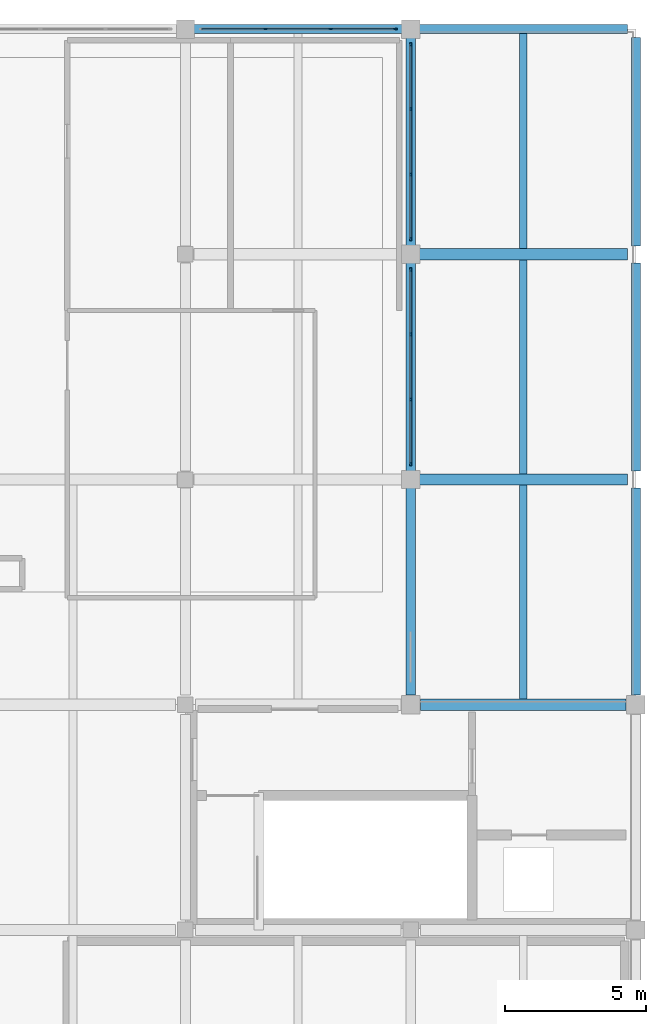
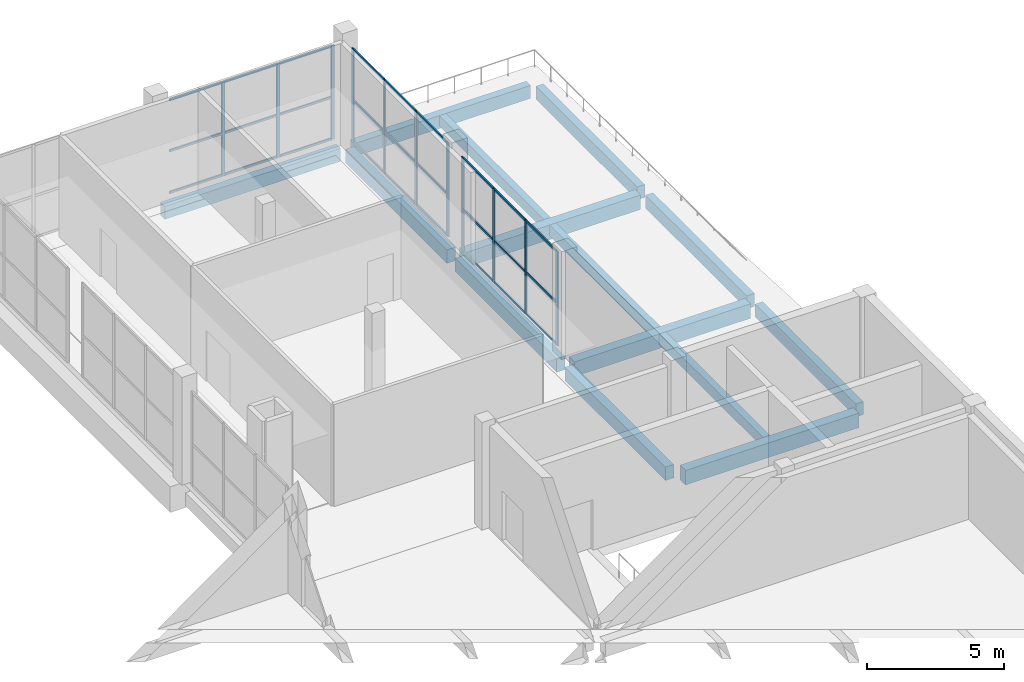
# One storey, part 3 of 8: 38 members, 14 beams, 3 elements without a shape of their own.
"""IFC4 building model written with IfcOpenShell, lengths in metres."""

from ifc_helpers import new_model, si_unit, direction, frame, origin, origin_2d, place, context, subcontext, project, spatial, rectangle, extrude, material, layer, layer_set, material_profile, profile_set, type_object, element, aggregate, save


model = new_model("IFC4")

# Units and contexts
model_context = context("Model", 3, precision=1e-05, world=origin(), true_north=direction((0.0, 1.0)))
body_context = subcontext(model_context, "Body", "Model", "MODEL_VIEW")
ifc_project = project(units=[si_unit("LENGTHUNIT", "METRE"), si_unit("AREAUNIT", "SQUARE_METRE"), si_unit("VOLUMEUNIT", "CUBIC_METRE"), si_unit("PLANEANGLEUNIT", "RADIAN"), si_unit("MASSUNIT", "GRAM", prefix="KILO")], contexts=[model_context])

# Site, building, storey
site_placement = place(None, origin())
site = spatial("IfcSite", under=ifc_project, at=site_placement, CompositionType="ELEMENT")
building_placement = place(site_placement, origin())
building = spatial("IfcBuilding", under=site, at=building_placement, Name="Qorikala Patio Media Centre", CompositionType="ELEMENT")
storey_placement = place(building_placement, frame((0.0, 0.0, 27.89990234375)))
storey = spatial("IfcBuildingStorey", under=building, at=storey_placement, Name="L06", CompositionType="ELEMENT", Elevation=27.89990234375)

# Beams
ifc_material_1 = material(Name="Concrete C35/45", Category="concrete")
ifc_material_profile_1 = material_profile(ifc_material_1, rectangle(XDim=0.35009765625, YDim=0.60009765625, at=origin_2d()), Name="RC 350x600")
ifc_profile_set_1 = profile_set([ifc_material_profile_1], Name="Concrete C35/45")
beam_type_1 = type_object("IfcBeamType", Name="BM-G350X600", PredefinedType="BEAM", material=ifc_profile_set_1)
beam_1_placement = place(storey_placement, frame((35.0, 35.35009765625, -0.699951171875), z_axis=(0.0, 1.0, 0.0), x_axis=(-1.0, 0.0, 0.0)))
element("IfcBeam", 1, at=beam_1_placement, inside=storey, type_object=beam_type_1, Name="L06 Grid X=35 Beam 1730", PredefinedType="BEAM", context=body_context, shape_type="SweptSolid", body=[
    extrude(rectangle(XDim=0.35009765625, YDim=0.60009765625, at=origin_2d()), origin(), (0.0, 0.0, 1.0), 7.349853515625),
])
for number, where, z_axis, x_axis, name in (
    (2, (35.0, 43.300048828125, -0.699951171875), (0.0, 1.0, 0.0), (-1.0, 0.0, 0.0), "L06 Grid X=35 Beam 1731"),
    (3, (35.0, 51.300048828125, -0.699951171875), (0.0, 1.0, 0.0), (-1.0, 0.0, 0.0), "L06 Grid X=35 Beam 1732"),
):
    element("IfcBeam", number, at=place(storey_placement, frame(where, z_axis=z_axis, x_axis=x_axis)), inside=storey, type_object=beam_type_1, Name=name, PredefinedType="BEAM", context=body_context, shape_type="SweptSolid", body=[
        extrude(rectangle(XDim=0.35009765625, YDim=0.60009765625, at=origin_2d()), origin(), (0.0, 0.0, 1.0), 7.39990234375),
    ])
ifc_material_profile_2 = material_profile(ifc_material_1, rectangle(XDim=0.39990234375, YDim=0.64990234375, at=origin_2d()), Name="RC 400x650")
ifc_profile_set_2 = profile_set([ifc_material_profile_2], Name="Concrete C35/45")
beam_type_2 = type_object("IfcBeamType", Name="BM-G400X650", PredefinedType="BEAM", material=ifc_profile_set_2)
beam_2_placement = place(storey_placement, frame((35.35009765625, 35.0, -0.724853515625), z_axis=(1.0, 0.0, 0.0), x_axis=(0.0, 1.0, 0.0)))
element("IfcBeam", 4, at=beam_2_placement, inside=storey, type_object=beam_type_2, Name="L06 Grid 35 Beam 1700", PredefinedType="BEAM", context=body_context, shape_type="SweptSolid", body=[
    extrude(rectangle(XDim=0.39990234375, YDim=0.64990234375, at=origin_2d()), origin(), (0.0, 0.0, 1.0), 7.2998046875),
])
for number, where, z_axis, x_axis, name in (
    (5, (35.300048828125, 43.0, -0.724853515625), (1.0, 0.0, 0.0), (0.0, 1.0, 0.0), "L06 Grid 43 Beam 1703"),
    (6, (35.300048828125, 51.0, -0.724853515625), (1.0, 0.0, 0.0), (0.0, 1.0, 0.0), "L06 Grid 51 Beam 1705"),
):
    element("IfcBeam", number, at=place(storey_placement, frame(where, z_axis=z_axis, x_axis=x_axis)), inside=storey, type_object=beam_type_2, Name=name, PredefinedType="BEAM", context=body_context, shape_type="SweptSolid", body=[
        extrude(rectangle(XDim=0.39990234375, YDim=0.64990234375, at=origin_2d()), origin(), (0.0, 0.0, 1.0), 7.39990234375),
    ])

# Curtain wall, members
ifc_material_2 = material(Name="Bronze Anodised Aluminium and Low-E Glass", Category="aluminium")
ifc_layer = layer(ifc_material_2, 0.159912109375)
ifc_layer_set = layer_set([ifc_layer], Name="Bronze Anodised Aluminium and Low-E Glass")
curtain_wall_type = type_object("IfcCurtainWallType", Name="CW-PAV-696X419", PredefinedType="USERDEFINED", material=ifc_layer_set)
curtain_wall_1_placement = place(storey_placement, origin())
curtain_wall_1 = element("IfcCurtainWall", 7, at=curtain_wall_1_placement, inside=storey, type_object=curtain_wall_type, Name="L06 Courtyard Curtain Wall 104", ObjectType="COURTYARD CURTAIN WALL", PredefinedType="USERDEFINED")
ifc_material_3 = material(Name="Bronze Anodised Aluminium", Category="aluminium")
ifc_material_profile_3 = material_profile(ifc_material_3, rectangle(XDim=0.06005859375, YDim=0.1298828125, at=origin_2d()), Name="ALU MULLION 60x130")
ifc_profile_set_3 = profile_set([ifc_material_profile_3], Name="Bronze Anodised Aluminium")
member_type_1 = type_object("IfcMemberType", Name="CWM-60X130", PredefinedType="MULLION", material=ifc_profile_set_3)
member_1_placement = place(storey_placement, frame((29.840087890625, 59.0, 0.0), z_axis=(0.0, 0.0, 1.0), x_axis=(0.0, 1.0, 0.0)))
member_1 = element("IfcMember", 8, at=member_1_placement, type_object=member_type_1, Name="CWP696419 mullion 2", PredefinedType="MULLION", context=body_context, shape_type="SweptSolid", body=[
    extrude(rectangle(XDim=0.06005859375, YDim=0.1298828125, at=origin_2d()), origin(), (0.0, 0.0, 1.0), 4.190185546875),
])
member_2_placement = place(storey_placement, frame((32.159912109375, 59.0, 0.0), z_axis=(0.0, 0.0, 1.0), x_axis=(0.0, 1.0, 0.0)))
member_2 = element("IfcMember", 9, at=member_2_placement, type_object=member_type_1, Name="CWP696419 mullion 3", PredefinedType="MULLION", context=body_context, shape_type="SweptSolid", body=[
    extrude(rectangle(XDim=0.06005859375, YDim=0.1298828125, at=origin_2d()), origin(), (0.0, 0.0, 1.0), 4.190185546875),
])
member_3_placement = place(storey_placement, frame((34.449951171875, 59.0, 0.0), z_axis=(0.0, 0.0, 1.0), x_axis=(0.0, 1.0, 0.0)))
member_3 = element("IfcMember", 10, at=member_3_placement, type_object=member_type_1, Name="CWP696419 mullion 4", PredefinedType="MULLION", context=body_context, shape_type="SweptSolid", body=[
    extrude(rectangle(XDim=0.06005859375, YDim=0.1298828125, at=origin_2d()), origin(), (0.0, 0.0, 1.0), 4.190185546875),
])

curtain_wall_2_placement = place(storey_placement, origin())
curtain_wall_2 = element("IfcCurtainWall", 11, at=curtain_wall_2_placement, inside=storey, type_object=curtain_wall_type, Name="L06 Courtyard Curtain Wall 105", ObjectType="COURTYARD CURTAIN WALL", PredefinedType="USERDEFINED")
member_4_placement = place(storey_placement, frame((35.0, 58.449951171875, 0.0), z_axis=(0.0, 0.0, 1.0), x_axis=(1.0, 0.0, 0.0)))
member_4 = element("IfcMember", 12, at=member_4_placement, type_object=member_type_1, Name="CWP696419 mullion 1", PredefinedType="MULLION", context=body_context, shape_type="SweptSolid", body=[
    extrude(rectangle(XDim=0.06005859375, YDim=0.1298828125, at=origin_2d()), origin(), (0.0, 0.0, 1.0), 4.190185546875),
])
member_5_placement = place(storey_placement, frame((35.0, 56.159912109375, 0.0), z_axis=(0.0, 0.0, 1.0), x_axis=(1.0, 0.0, 0.0)))
member_5 = element("IfcMember", 13, at=member_5_placement, type_object=member_type_1, Name="CWP696419 mullion 2", PredefinedType="MULLION", context=body_context, shape_type="SweptSolid", body=[
    extrude(rectangle(XDim=0.06005859375, YDim=0.1298828125, at=origin_2d()), origin(), (0.0, 0.0, 1.0), 4.190185546875),
])
member_6_placement = place(storey_placement, frame((35.0, 53.840087890625, 0.0), z_axis=(0.0, 0.0, 1.0), x_axis=(1.0, 0.0, 0.0)))
member_6 = element("IfcMember", 14, at=member_6_placement, type_object=member_type_1, Name="CWP696419 mullion 3", PredefinedType="MULLION", context=body_context, shape_type="SweptSolid", body=[
    extrude(rectangle(XDim=0.06005859375, YDim=0.1298828125, at=origin_2d()), origin(), (0.0, 0.0, 1.0), 4.190185546875),
])
member_7_placement = place(storey_placement, frame((35.0, 51.550048828125, 0.0), z_axis=(0.0, 0.0, 1.0), x_axis=(1.0, 0.0, 0.0)))
member_7 = element("IfcMember", 15, at=member_7_placement, type_object=member_type_1, Name="CWP696419 mullion 4", PredefinedType="MULLION", context=body_context, shape_type="SweptSolid", body=[
    extrude(rectangle(XDim=0.06005859375, YDim=0.1298828125, at=origin_2d()), origin(), (0.0, 0.0, 1.0), 4.190185546875),
])

curtain_wall_3_placement = place(storey_placement, origin())
curtain_wall_3 = element("IfcCurtainWall", 16, at=curtain_wall_3_placement, inside=storey, type_object=curtain_wall_type, Name="L06 Courtyard Curtain Wall 106", ObjectType="COURTYARD CURTAIN WALL", PredefinedType="USERDEFINED")
member_8_placement = place(storey_placement, frame((35.0, 50.449951171875, 0.0), z_axis=(0.0, 0.0, 1.0), x_axis=(1.0, 0.0, 0.0)))
member_8 = element("IfcMember", 17, at=member_8_placement, type_object=member_type_1, Name="CWP696419 mullion 1", PredefinedType="MULLION", context=body_context, shape_type="SweptSolid", body=[
    extrude(rectangle(XDim=0.06005859375, YDim=0.1298828125, at=origin_2d()), origin(), (0.0, 0.0, 1.0), 4.190185546875),
])
member_9_placement = place(storey_placement, frame((35.0, 48.159912109375, 0.0), z_axis=(0.0, 0.0, 1.0), x_axis=(1.0, 0.0, 0.0)))
member_9 = element("IfcMember", 18, at=member_9_placement, type_object=member_type_1, Name="CWP696419 mullion 2", PredefinedType="MULLION", context=body_context, shape_type="SweptSolid", body=[
    extrude(rectangle(XDim=0.06005859375, YDim=0.1298828125, at=origin_2d()), origin(), (0.0, 0.0, 1.0), 4.190185546875),
])
member_10_placement = place(storey_placement, frame((35.0, 45.840087890625, 0.0), z_axis=(0.0, 0.0, 1.0), x_axis=(1.0, 0.0, 0.0)))
member_10 = element("IfcMember", 19, at=member_10_placement, type_object=member_type_1, Name="CWP696419 mullion 3", PredefinedType="MULLION", context=body_context, shape_type="SweptSolid", body=[
    extrude(rectangle(XDim=0.06005859375, YDim=0.1298828125, at=origin_2d()), origin(), (0.0, 0.0, 1.0), 4.190185546875),
])
member_11_placement = place(storey_placement, frame((35.0, 43.550048828125, 0.0), z_axis=(0.0, 0.0, 1.0), x_axis=(1.0, 0.0, 0.0)))
member_11 = element("IfcMember", 20, at=member_11_placement, type_object=member_type_1, Name="CWP696419 mullion 4", PredefinedType="MULLION", context=body_context, shape_type="SweptSolid", body=[
    extrude(rectangle(XDim=0.06005859375, YDim=0.1298828125, at=origin_2d()), origin(), (0.0, 0.0, 1.0), 4.190185546875),
])

# Member
ifc_material_profile_4 = material_profile(ifc_material_3, rectangle(XDim=0.06005859375, YDim=0.10009765625, at=origin_2d()), Name="ALU TRANSOM 60x100")
ifc_profile_set_4 = profile_set([ifc_material_profile_4], Name="Bronze Anodised Aluminium")
member_type_2 = type_object("IfcMemberType", Name="CWT-60X100", PredefinedType="USERDEFINED", material=ifc_profile_set_4)
member_12_placement = place(storey_placement, frame((27.580078125, 59.0, 0.030029296875), z_axis=(1.0, 0.0, 0.0), x_axis=(0.0, 1.0, 0.0)))
member_12 = element("IfcMember", 21, at=member_12_placement, type_object=member_type_2, Name="CWP696419 transom 1.1", ObjectType="TRANSOM", PredefinedType="USERDEFINED", context=body_context, shape_type="SweptSolid", body=[
    extrude(rectangle(XDim=0.06005859375, YDim=0.10009765625, at=origin_2d()), origin(), (0.0, 0.0, 1.0), 2.22998046875),
])

member_13_placement = place(storey_placement, frame((27.580078125, 59.0, 1.885498046875), z_axis=(1.0, 0.0, 0.0), x_axis=(0.0, 1.0, 0.0)))
member_13 = element("IfcMember", 22, at=member_13_placement, type_object=member_type_2, Name="CWP696419 transom 1.2", ObjectType="TRANSOM", PredefinedType="USERDEFINED", context=body_context, shape_type="SweptSolid", body=[
    extrude(rectangle(XDim=0.06005859375, YDim=0.10009765625, at=origin_2d()), origin(), (0.0, 0.0, 1.0), 2.22998046875),
])

member_14_placement = place(storey_placement, frame((27.580078125, 59.0, 4.16015625), z_axis=(1.0, 0.0, 0.0), x_axis=(0.0, 1.0, 0.0)))
member_14 = element("IfcMember", 23, at=member_14_placement, type_object=member_type_2, Name="CWP696419 transom 1.3", ObjectType="TRANSOM", PredefinedType="USERDEFINED", context=body_context, shape_type="SweptSolid", body=[
    extrude(rectangle(XDim=0.06005859375, YDim=0.10009765625, at=origin_2d()), origin(), (0.0, 0.0, 1.0), 2.22998046875),
])

member_15_placement = place(storey_placement, frame((29.8701171875, 59.0, 0.030029296875), z_axis=(1.0, 0.0, 0.0), x_axis=(0.0, 1.0, 0.0)))
member_15 = element("IfcMember", 24, at=member_15_placement, type_object=member_type_2, Name="CWP696419 transom 2.1", ObjectType="TRANSOM", PredefinedType="USERDEFINED", context=body_context, shape_type="SweptSolid", body=[
    extrude(rectangle(XDim=0.06005859375, YDim=0.10009765625, at=origin_2d()), origin(), (0.0, 0.0, 1.0), 2.259765625),
])

member_16_placement = place(storey_placement, frame((29.8701171875, 59.0, 1.885498046875), z_axis=(1.0, 0.0, 0.0), x_axis=(0.0, 1.0, 0.0)))
member_16 = element("IfcMember", 25, at=member_16_placement, type_object=member_type_2, Name="CWP696419 transom 2.2", ObjectType="TRANSOM", PredefinedType="USERDEFINED", context=body_context, shape_type="SweptSolid", body=[
    extrude(rectangle(XDim=0.06005859375, YDim=0.10009765625, at=origin_2d()), origin(), (0.0, 0.0, 1.0), 2.259765625),
])

member_17_placement = place(storey_placement, frame((29.8701171875, 59.0, 4.16015625), z_axis=(1.0, 0.0, 0.0), x_axis=(0.0, 1.0, 0.0)))
member_17 = element("IfcMember", 26, at=member_17_placement, type_object=member_type_2, Name="CWP696419 transom 2.3", ObjectType="TRANSOM", PredefinedType="USERDEFINED", context=body_context, shape_type="SweptSolid", body=[
    extrude(rectangle(XDim=0.06005859375, YDim=0.10009765625, at=origin_2d()), origin(), (0.0, 0.0, 1.0), 2.259765625),
])

member_18_placement = place(storey_placement, frame((32.18994140625, 59.0, 0.030029296875), z_axis=(1.0, 0.0, 0.0), x_axis=(0.0, 1.0, 0.0)))
member_18 = element("IfcMember", 27, at=member_18_placement, type_object=member_type_2, Name="CWP696419 transom 3.1", ObjectType="TRANSOM", PredefinedType="USERDEFINED", context=body_context, shape_type="SweptSolid", body=[
    extrude(rectangle(XDim=0.06005859375, YDim=0.10009765625, at=origin_2d()), origin(), (0.0, 0.0, 1.0), 2.22998046875),
])

member_19_placement = place(storey_placement, frame((32.18994140625, 59.0, 1.885498046875), z_axis=(1.0, 0.0, 0.0), x_axis=(0.0, 1.0, 0.0)))
member_19 = element("IfcMember", 28, at=member_19_placement, type_object=member_type_2, Name="CWP696419 transom 3.2", ObjectType="TRANSOM", PredefinedType="USERDEFINED", context=body_context, shape_type="SweptSolid", body=[
    extrude(rectangle(XDim=0.06005859375, YDim=0.10009765625, at=origin_2d()), origin(), (0.0, 0.0, 1.0), 2.22998046875),
])

member_20_placement = place(storey_placement, frame((32.18994140625, 59.0, 4.16015625), z_axis=(1.0, 0.0, 0.0), x_axis=(0.0, 1.0, 0.0)))
member_20 = element("IfcMember", 29, at=member_20_placement, type_object=member_type_2, Name="CWP696419 transom 3.3", ObjectType="TRANSOM", PredefinedType="USERDEFINED", context=body_context, shape_type="SweptSolid", body=[
    extrude(rectangle(XDim=0.06005859375, YDim=0.10009765625, at=origin_2d()), origin(), (0.0, 0.0, 1.0), 2.22998046875),
])

aggregate(curtain_wall_1, [member_1, member_2, member_3, member_12, member_13, member_14, member_15, member_16, member_17, member_18, member_19, member_20])

member_21_placement = place(storey_placement, frame((35.0, 58.419921875, 0.030029296875), z_axis=(0.0, -1.0, 0.0), x_axis=(1.0, 0.0, 0.0)))
member_21 = element("IfcMember", 30, at=member_21_placement, type_object=member_type_2, Name="CWP696419 transom 1.1", ObjectType="TRANSOM", PredefinedType="USERDEFINED", context=body_context, shape_type="SweptSolid", body=[
    extrude(rectangle(XDim=0.06005859375, YDim=0.10009765625, at=origin_2d()), origin(), (0.0, 0.0, 1.0), 2.22998046875),
])

member_22_placement = place(storey_placement, frame((35.0, 58.419921875, 1.885498046875), z_axis=(0.0, -1.0, 0.0), x_axis=(1.0, 0.0, 0.0)))
member_22 = element("IfcMember", 31, at=member_22_placement, type_object=member_type_2, Name="CWP696419 transom 1.2", ObjectType="TRANSOM", PredefinedType="USERDEFINED", context=body_context, shape_type="SweptSolid", body=[
    extrude(rectangle(XDim=0.06005859375, YDim=0.10009765625, at=origin_2d()), origin(), (0.0, 0.0, 1.0), 2.22998046875),
])

member_23_placement = place(storey_placement, frame((35.0, 58.419921875, 4.16015625), z_axis=(0.0, -1.0, 0.0), x_axis=(1.0, 0.0, 0.0)))
member_23 = element("IfcMember", 32, at=member_23_placement, type_object=member_type_2, Name="CWP696419 transom 1.3", ObjectType="TRANSOM", PredefinedType="USERDEFINED", context=body_context, shape_type="SweptSolid", body=[
    extrude(rectangle(XDim=0.06005859375, YDim=0.10009765625, at=origin_2d()), origin(), (0.0, 0.0, 1.0), 2.22998046875),
])

member_24_placement = place(storey_placement, frame((35.0, 56.1298828125, 0.030029296875), z_axis=(0.0, -1.0, 0.0), x_axis=(1.0, 0.0, 0.0)))
member_24 = element("IfcMember", 33, at=member_24_placement, type_object=member_type_2, Name="CWP696419 transom 2.1", ObjectType="TRANSOM", PredefinedType="USERDEFINED", context=body_context, shape_type="SweptSolid", body=[
    extrude(rectangle(XDim=0.06005859375, YDim=0.10009765625, at=origin_2d()), origin(), (0.0, 0.0, 1.0), 2.259765625),
])

member_25_placement = place(storey_placement, frame((35.0, 56.1298828125, 1.885498046875), z_axis=(0.0, -1.0, 0.0), x_axis=(1.0, 0.0, 0.0)))
member_25 = element("IfcMember", 34, at=member_25_placement, type_object=member_type_2, Name="CWP696419 transom 2.2", ObjectType="TRANSOM", PredefinedType="USERDEFINED", context=body_context, shape_type="SweptSolid", body=[
    extrude(rectangle(XDim=0.06005859375, YDim=0.10009765625, at=origin_2d()), origin(), (0.0, 0.0, 1.0), 2.259765625),
])

member_26_placement = place(storey_placement, frame((35.0, 56.1298828125, 4.16015625), z_axis=(0.0, -1.0, 0.0), x_axis=(1.0, 0.0, 0.0)))
member_26 = element("IfcMember", 35, at=member_26_placement, type_object=member_type_2, Name="CWP696419 transom 2.3", ObjectType="TRANSOM", PredefinedType="USERDEFINED", context=body_context, shape_type="SweptSolid", body=[
    extrude(rectangle(XDim=0.06005859375, YDim=0.10009765625, at=origin_2d()), origin(), (0.0, 0.0, 1.0), 2.259765625),
])

member_27_placement = place(storey_placement, frame((35.0, 53.81005859375, 0.030029296875), z_axis=(0.0, -1.0, 0.0), x_axis=(1.0, 0.0, 0.0)))
member_27 = element("IfcMember", 36, at=member_27_placement, type_object=member_type_2, Name="CWP696419 transom 3.1", ObjectType="TRANSOM", PredefinedType="USERDEFINED", context=body_context, shape_type="SweptSolid", body=[
    extrude(rectangle(XDim=0.06005859375, YDim=0.10009765625, at=origin_2d()), origin(), (0.0, 0.0, 1.0), 2.22998046875),
])

member_28_placement = place(storey_placement, frame((35.0, 53.81005859375, 1.885498046875), z_axis=(0.0, -1.0, 0.0), x_axis=(1.0, 0.0, 0.0)))
member_28 = element("IfcMember", 37, at=member_28_placement, type_object=member_type_2, Name="CWP696419 transom 3.2", ObjectType="TRANSOM", PredefinedType="USERDEFINED", context=body_context, shape_type="SweptSolid", body=[
    extrude(rectangle(XDim=0.06005859375, YDim=0.10009765625, at=origin_2d()), origin(), (0.0, 0.0, 1.0), 2.22998046875),
])

member_29_placement = place(storey_placement, frame((35.0, 53.81005859375, 4.16015625), z_axis=(0.0, -1.0, 0.0), x_axis=(1.0, 0.0, 0.0)))
member_29 = element("IfcMember", 38, at=member_29_placement, type_object=member_type_2, Name="CWP696419 transom 3.3", ObjectType="TRANSOM", PredefinedType="USERDEFINED", context=body_context, shape_type="SweptSolid", body=[
    extrude(rectangle(XDim=0.06005859375, YDim=0.10009765625, at=origin_2d()), origin(), (0.0, 0.0, 1.0), 2.22998046875),
])

aggregate(curtain_wall_2, [member_4, member_5, member_6, member_7, member_21, member_22, member_23, member_24, member_25, member_26, member_27, member_28, member_29])

member_30_placement = place(storey_placement, frame((35.0, 50.419921875, 0.030029296875), z_axis=(0.0, -1.0, 0.0), x_axis=(1.0, 0.0, 0.0)))
member_30 = element("IfcMember", 39, at=member_30_placement, type_object=member_type_2, Name="CWP696419 transom 1.1", ObjectType="TRANSOM", PredefinedType="USERDEFINED", context=body_context, shape_type="SweptSolid", body=[
    extrude(rectangle(XDim=0.06005859375, YDim=0.10009765625, at=origin_2d()), origin(), (0.0, 0.0, 1.0), 2.22998046875),
])

member_31_placement = place(storey_placement, frame((35.0, 50.419921875, 1.885498046875), z_axis=(0.0, -1.0, 0.0), x_axis=(1.0, 0.0, 0.0)))
member_31 = element("IfcMember", 40, at=member_31_placement, type_object=member_type_2, Name="CWP696419 transom 1.2", ObjectType="TRANSOM", PredefinedType="USERDEFINED", context=body_context, shape_type="SweptSolid", body=[
    extrude(rectangle(XDim=0.06005859375, YDim=0.10009765625, at=origin_2d()), origin(), (0.0, 0.0, 1.0), 2.22998046875),
])

member_32_placement = place(storey_placement, frame((35.0, 50.419921875, 4.16015625), z_axis=(0.0, -1.0, 0.0), x_axis=(1.0, 0.0, 0.0)))
member_32 = element("IfcMember", 41, at=member_32_placement, type_object=member_type_2, Name="CWP696419 transom 1.3", ObjectType="TRANSOM", PredefinedType="USERDEFINED", context=body_context, shape_type="SweptSolid", body=[
    extrude(rectangle(XDim=0.06005859375, YDim=0.10009765625, at=origin_2d()), origin(), (0.0, 0.0, 1.0), 2.22998046875),
])

member_33_placement = place(storey_placement, frame((35.0, 48.1298828125, 0.030029296875), z_axis=(0.0, -1.0, 0.0), x_axis=(1.0, 0.0, 0.0)))
member_33 = element("IfcMember", 42, at=member_33_placement, type_object=member_type_2, Name="CWP696419 transom 2.1", ObjectType="TRANSOM", PredefinedType="USERDEFINED", context=body_context, shape_type="SweptSolid", body=[
    extrude(rectangle(XDim=0.06005859375, YDim=0.10009765625, at=origin_2d()), origin(), (0.0, 0.0, 1.0), 2.259765625),
])

member_34_placement = place(storey_placement, frame((35.0, 48.1298828125, 1.885498046875), z_axis=(0.0, -1.0, 0.0), x_axis=(1.0, 0.0, 0.0)))
member_34 = element("IfcMember", 43, at=member_34_placement, type_object=member_type_2, Name="CWP696419 transom 2.2", ObjectType="TRANSOM", PredefinedType="USERDEFINED", context=body_context, shape_type="SweptSolid", body=[
    extrude(rectangle(XDim=0.06005859375, YDim=0.10009765625, at=origin_2d()), origin(), (0.0, 0.0, 1.0), 2.259765625),
])

member_35_placement = place(storey_placement, frame((35.0, 48.1298828125, 4.16015625), z_axis=(0.0, -1.0, 0.0), x_axis=(1.0, 0.0, 0.0)))
member_35 = element("IfcMember", 44, at=member_35_placement, type_object=member_type_2, Name="CWP696419 transom 2.3", ObjectType="TRANSOM", PredefinedType="USERDEFINED", context=body_context, shape_type="SweptSolid", body=[
    extrude(rectangle(XDim=0.06005859375, YDim=0.10009765625, at=origin_2d()), origin(), (0.0, 0.0, 1.0), 2.259765625),
])

member_36_placement = place(storey_placement, frame((35.0, 45.81005859375, 0.030029296875), z_axis=(0.0, -1.0, 0.0), x_axis=(1.0, 0.0, 0.0)))
member_36 = element("IfcMember", 45, at=member_36_placement, type_object=member_type_2, Name="CWP696419 transom 3.1", ObjectType="TRANSOM", PredefinedType="USERDEFINED", context=body_context, shape_type="SweptSolid", body=[
    extrude(rectangle(XDim=0.06005859375, YDim=0.10009765625, at=origin_2d()), origin(), (0.0, 0.0, 1.0), 2.22998046875),
])

member_37_placement = place(storey_placement, frame((35.0, 45.81005859375, 1.885498046875), z_axis=(0.0, -1.0, 0.0), x_axis=(1.0, 0.0, 0.0)))
member_37 = element("IfcMember", 46, at=member_37_placement, type_object=member_type_2, Name="CWP696419 transom 3.2", ObjectType="TRANSOM", PredefinedType="USERDEFINED", context=body_context, shape_type="SweptSolid", body=[
    extrude(rectangle(XDim=0.06005859375, YDim=0.10009765625, at=origin_2d()), origin(), (0.0, 0.0, 1.0), 2.22998046875),
])

member_38_placement = place(storey_placement, frame((35.0, 45.81005859375, 4.16015625), z_axis=(0.0, -1.0, 0.0), x_axis=(1.0, 0.0, 0.0)))
member_38 = element("IfcMember", 47, at=member_38_placement, type_object=member_type_2, Name="CWP696419 transom 3.3", ObjectType="TRANSOM", PredefinedType="USERDEFINED", context=body_context, shape_type="SweptSolid", body=[
    extrude(rectangle(XDim=0.06005859375, YDim=0.10009765625, at=origin_2d()), origin(), (0.0, 0.0, 1.0), 2.22998046875),
])

aggregate(curtain_wall_3, [member_8, member_9, member_10, member_11, member_30, member_31, member_32, member_33, member_34, member_35, member_36, member_37, member_38])

# Beams
ifc_material_profile_5 = material_profile(ifc_material_1, rectangle(XDim=0.280029296875, YDim=0.47998046875, at=origin_2d()), Name="RC 280x480")
ifc_profile_set_5 = profile_set([ifc_material_profile_5], Name="Concrete C35/45")
beam_type_3 = type_object("IfcBeamType", Name="JS-280X480", PredefinedType="JOIST", material=ifc_profile_set_5)
for number, where, z_axis, x_axis, name in (
    (48, (39.0, 35.199951171875, -0.639892578125), (0.0, 1.0, 0.0), (-1.0, 0.0, 0.0), "L06 Secondary Joist 1758"),
    (49, (39.0, 43.199951171875, -0.639892578125), (0.0, 1.0, 0.0), (-1.0, 0.0, 0.0), "L06 Secondary Joist 1759"),
):
    element("IfcBeam", number, at=place(storey_placement, frame(where, z_axis=z_axis, x_axis=x_axis)), inside=storey, type_object=beam_type_3, Name=name, PredefinedType="JOIST", context=body_context, shape_type="SweptSolid", body=[
        extrude(rectangle(XDim=0.280029296875, YDim=0.47998046875, at=origin_2d()), origin(), (0.0, 0.0, 1.0), 7.60009765625),
    ])
beam_3_placement = place(storey_placement, frame((39.0, 51.199951171875, -0.639892578125), z_axis=(0.0, 1.0, 0.0), x_axis=(-1.0, 0.0, 0.0)))
element("IfcBeam", 50, at=beam_3_placement, inside=storey, type_object=beam_type_3, Name="L06 Secondary Joist 1760", PredefinedType="JOIST", context=body_context, shape_type="SweptSolid", body=[
    extrude(rectangle(XDim=0.280029296875, YDim=0.47998046875, at=origin_2d()), origin(), (0.0, 0.0, 1.0), 7.64013671875),
])
ifc_material_profile_6 = material_profile(ifc_material_1, rectangle(XDim=0.320068359375, YDim=0.580078125, at=origin_2d()), Name="RC 320x580")
ifc_profile_set_6 = profile_set([ifc_material_profile_6], Name="Concrete C35/45")
beam_type_4 = type_object("IfcBeamType", Name="SP-320X580", PredefinedType="SPANDREL", material=ifc_profile_set_6)
for number, where, z_axis, x_axis, name in (
    (51, (27.300048828125, 59.0, -0.68994140625), (1.0, 0.0, 0.0), (0.0, 1.0, 0.0), "L06 Grid 59 Beam 1707"),
    (52, (35.300048828125, 59.0, -0.68994140625), (1.0, 0.0, 0.0), (0.0, 1.0, 0.0), "L06 Grid 59 Beam 1708"),
):
    element("IfcBeam", number, at=place(storey_placement, frame(where, z_axis=z_axis, x_axis=x_axis)), inside=storey, type_object=beam_type_4, Name=name, PredefinedType="SPANDREL", context=body_context, shape_type="SweptSolid", body=[
        extrude(rectangle(XDim=0.320068359375, YDim=0.580078125, at=origin_2d()), origin(), (0.0, 0.0, 1.0), 7.39990234375),
    ])
beam_4_placement = place(storey_placement, frame((43.0, 35.35009765625, -0.68994140625), z_axis=(0.0, 1.0, 0.0), x_axis=(-1.0, 0.0, 0.0)))
element("IfcBeam", 53, at=beam_4_placement, inside=storey, type_object=beam_type_4, Name="L06 Grid X=43 Beam 1737", PredefinedType="SPANDREL", context=body_context, shape_type="SweptSolid", body=[
    extrude(rectangle(XDim=0.320068359375, YDim=0.580078125, at=origin_2d()), origin(), (0.0, 0.0, 1.0), 7.349853515625),
])
for number, where, z_axis, x_axis, name in (
    (54, (43.0, 43.300048828125, -0.68994140625), (0.0, 1.0, 0.0), (-1.0, 0.0, 0.0), "L06 Grid X=43 Beam 1738"),
    (55, (43.0, 51.300048828125, -0.68994140625), (0.0, 1.0, 0.0), (-1.0, 0.0, 0.0), "L06 Grid X=43 Beam 1739"),
):
    element("IfcBeam", number, at=place(storey_placement, frame(where, z_axis=z_axis, x_axis=x_axis)), inside=storey, type_object=beam_type_4, Name=name, PredefinedType="SPANDREL", context=body_context, shape_type="SweptSolid", body=[
        extrude(rectangle(XDim=0.320068359375, YDim=0.580078125, at=origin_2d()), origin(), (0.0, 0.0, 1.0), 7.39990234375),
    ])

save(model, "model.ifc")
